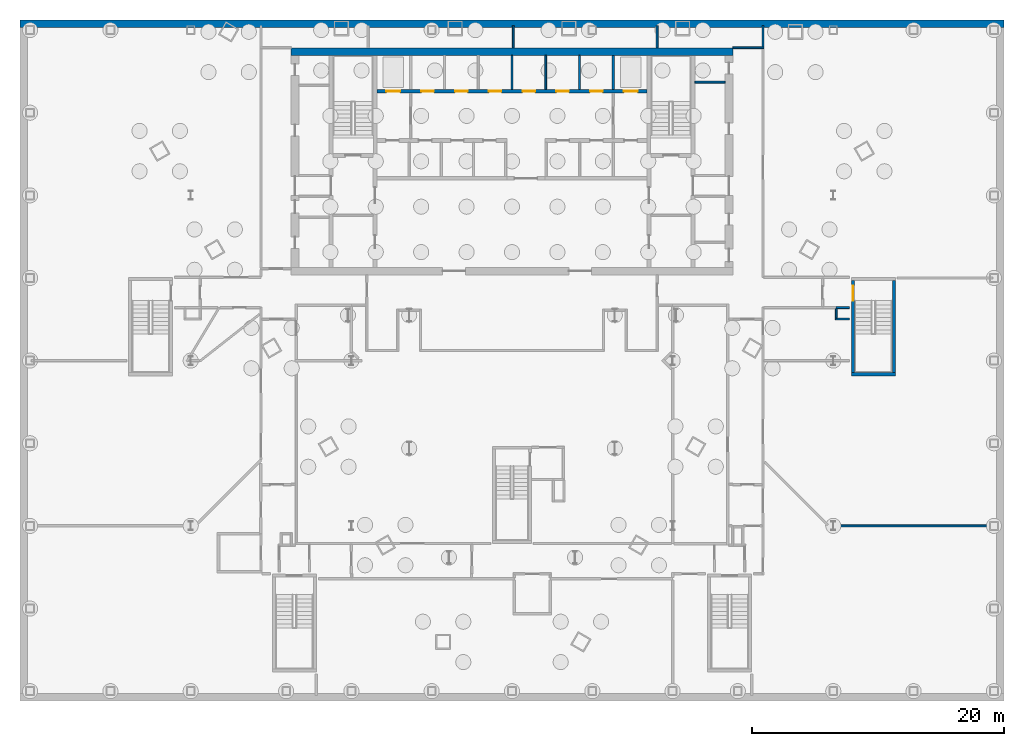
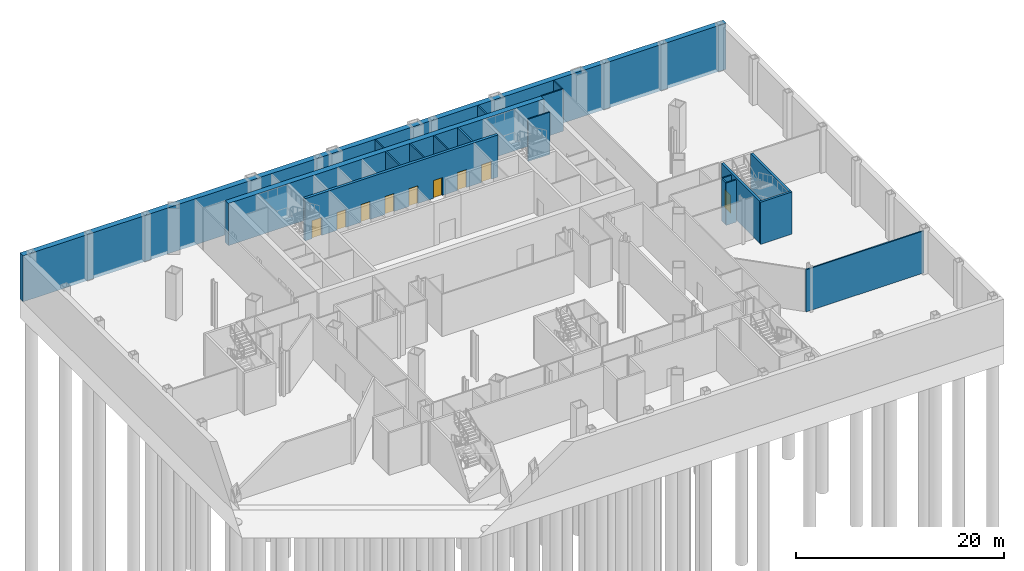
# One storey, part 11 of 19: 19 walls, 9 doors, 9 openings.
"""IFC4 building model written with IfcOpenShell, lengths in metres."""

from ifc_helpers import new_model, si_unit, direction, frame, frame_2d, origin, place, context, subcontext, project, spatial, rectangle, extrude, material, layer, layer_set, type_object, element, fill, save


model = new_model("IFC4")

# Units and contexts
model_context = context("Model", 3, precision=1e-05, world=origin(), true_north=direction((0.0, 1.0)))
body_context = subcontext(model_context, "Body", "Model", "MODEL_VIEW")
ifc_project = project(units=[si_unit("LENGTHUNIT", "METRE"), si_unit("AREAUNIT", "SQUARE_METRE"), si_unit("VOLUMEUNIT", "CUBIC_METRE"), si_unit("PLANEANGLEUNIT", "RADIAN"), si_unit("MASSUNIT", "GRAM", prefix="KILO")], contexts=[model_context])

# Site, building, storey
site_placement = place(None, origin())
site = spatial("IfcSite", under=ifc_project, at=site_placement, CompositionType="ELEMENT")
building_placement = place(site_placement, origin())
building = spatial("IfcBuilding", under=site, at=building_placement, Name="Njiva Tower", CompositionType="ELEMENT")
storey_placement = place(building_placement, frame((0.0, 0.0, -16.8)))
storey = spatial("IfcBuildingStorey", under=building, at=storey_placement, Name="B3", CompositionType="ELEMENT", Elevation=-16.8)

# Walls
ifc_material_1 = material(Name="Blockwork", Category="masonry")
ifc_layer_1 = layer(ifc_material_1, 0.15)
ifc_layer_set_1 = layer_set([ifc_layer_1], Name="Blockwork")
wall_type_1 = type_object("IfcWallType", Name="WT1 Compartment partition 150", PredefinedType="PARTITIONING", material=ifc_layer_set_1)
for number, where, z_axis, x_axis, name in (
    (1, (0.0, 14.7, 0.0), (0.0, 0.0, 1.0), (0.0, 1.0, 0.0), "Partition CN4"),
    (2, (2.675, 14.7, 0.0), (0.0, 0.0, 1.0), (0.0, 1.0, 0.0), "Partition CN5"),
    (3, (5.35, 14.7, 0.0), (0.0, 0.0, 1.0), (0.0, 1.0, 0.0), "Partition CN6"),
):
    element("IfcWall", number, at=place(storey_placement, frame(where, z_axis=z_axis, x_axis=x_axis)), inside=storey, type_object=wall_type_1, Name=name, PredefinedType="PARTITIONING", context=body_context, shape_type="SweptSolid", body=[
        extrude(rectangle(XDim=2.7, YDim=0.15, at=frame_2d((1.35, 0.0))), origin(), (0.0, 0.0, 1.0), 4.95),
    ])
ifc_material_2 = material(Name="Concrete C60/75", Category="concrete")
ifc_layer_2 = layer(ifc_material_2, 0.6)
ifc_layer_set_2 = layer_set([ifc_layer_2], Name="Concrete C60/75")
wall_type_2 = type_object("IfcWallType", Name="WT15 Core wall 600", PredefinedType="SHEAR", material=ifc_layer_set_2)
wall_1_placement = place(storey_placement, frame((-17.5, 17.7, 0.0), z_axis=(0.0, 0.0, 1.0), x_axis=(1.0, 0.0, 0.0)))
element("IfcWall", 4, at=wall_1_placement, inside=storey, type_object=wall_type_2, Name="Core wall north", PredefinedType="SHEAR", context=body_context, shape_type="SweptSolid", body=[
    extrude(rectangle(XDim=35.0, YDim=0.6, at=frame_2d((17.5, 0.0))), origin(), (0.0, 0.0, 1.0), 4.95),
])
ifc_material_3 = material(Name="Gypsum board on steel studs", Category="gypsum")
ifc_layer_3 = layer(ifc_material_3, 0.15)
ifc_layer_set_3 = layer_set([ifc_layer_3], Name="Gypsum board on steel studs")
wall_type_3 = type_object("IfcWallType", Name="WT21 Compartment wall 150", PredefinedType="PARTITIONING", material=ifc_layer_set_3)
wall_2_placement = place(storey_placement, frame((25.026, -19.9, 0.0), z_axis=(0.0, 0.0, 1.0), x_axis=(0.999999997075, 7.6487685e-05, 0.0)))
element("IfcWall", 5, at=wall_2_placement, inside=storey, type_object=wall_type_3, Name="Partition B3-P111", PredefinedType="PARTITIONING", context=body_context, shape_type="SweptSolid", body=[
    extrude(rectangle(XDim=13.074, YDim=0.15, at=frame_2d((6.537, 0.0))), origin(), (0.0, 0.0, 1.0), 4.95),
])
ifc_layer_4 = layer(ifc_material_3, 0.15)
ifc_layer_set_4 = layer_set([ifc_layer_4], Name="Gypsum board on steel studs")
wall_type_4 = type_object("IfcWallType", Name="WT24 Riser room wall 150", PredefinedType="PARTITIONING", material=ifc_layer_set_4)
for number, where, z_axis, x_axis, name in (
    (6, (0.1, 18.0, 0.0), (0.0, 0.0, 1.0), (0.0, 1.0, 0.0), "Partition B3-P062"),
    (7, (11.5, 18.0, 0.0), (0.0, 0.0, 1.0), (0.0, 1.0, 0.0), "Partition B3-P075"),
):
    element("IfcWall", number, at=place(storey_placement, frame(where, z_axis=z_axis, x_axis=x_axis)), inside=storey, type_object=wall_type_4, Name=name, PredefinedType="PARTITIONING", context=body_context, shape_type="SweptSolid", body=[
        extrude(rectangle(XDim=1.75, YDim=0.15, at=frame_2d((0.875, 0.0))), origin(), (0.0, 0.0, 1.0), 4.95),
    ])
wall_3_placement = place(storey_placement, frame((17.5, 18.0, 0.0), z_axis=(0.0, 0.0, 1.0), x_axis=(1.0, 0.0, 0.0)))
element("IfcWall", 8, at=wall_3_placement, inside=storey, type_object=wall_type_4, Name="Partition B3-P095", PredefinedType="PARTITIONING", context=body_context, shape_type="SweptSolid", body=[
    extrude(rectangle(XDim=2.475, YDim=0.15, at=frame_2d((1.2375, 0.0))), origin(), (0.0, 0.0, 1.0), 4.95),
])
wall_4_placement = place(storey_placement, frame((19.9, 18.075, 0.0), z_axis=(0.0, 0.0, 1.0), x_axis=(0.0, 1.0, 0.0)))
element("IfcWall", 9, at=wall_4_placement, inside=storey, type_object=wall_type_4, Name="Partition B3-P105", PredefinedType="PARTITIONING", context=body_context, shape_type="SweptSolid", body=[
    extrude(rectangle(XDim=1.675, YDim=0.15, at=frame_2d((0.8375, 0.0))), origin(), (0.0, 0.0, 1.0), 4.95),
])
wall_5_placement = place(storey_placement, frame((25.625, -3.5, 0.0), z_axis=(0.0, 0.0, 1.0), x_axis=(1.0, 0.0, 0.0)))
element("IfcWall", 10, at=wall_5_placement, inside=storey, type_object=wall_type_4, Name="Partition B3-P112", PredefinedType="PARTITIONING", context=body_context, shape_type="SweptSolid", body=[
    extrude(rectangle(XDim=1.125, YDim=0.15, at=frame_2d((0.5625, 0.0))), origin(), (0.0, 0.0, 1.0), 4.95),
])
wall_6_placement = place(storey_placement, frame((25.688, -2.6, 0.0), z_axis=(0.0, 0.0, 1.0), x_axis=(1.0, 0.0, 0.0)))
element("IfcWall", 11, at=wall_6_placement, inside=storey, type_object=wall_type_4, Name="Partition B3-P113", PredefinedType="PARTITIONING", context=body_context, shape_type="SweptSolid", body=[
    extrude(rectangle(XDim=1.062, YDim=0.15, at=frame_2d((0.531, 0.0))), origin(), (0.0, 0.0, 1.0), 4.95),
])
wall_7_placement = place(storey_placement, frame((25.7, -3.425, 0.0), z_axis=(0.0, 0.0, 1.0), x_axis=(0.0, 1.0, 0.0)))
element("IfcWall", 12, at=wall_7_placement, inside=storey, type_object=wall_type_4, Name="Partition B3-P114", PredefinedType="PARTITIONING", context=body_context, shape_type="SweptSolid", body=[
    extrude(rectangle(XDim=0.75, YDim=0.15, at=frame_2d((0.375, 0.0))), origin(), (0.0, 0.0, 1.0), 4.95),
])
ifc_layer_5 = layer(ifc_material_1, 0.15)
ifc_layer_set_5 = layer_set([ifc_layer_5], Name="Blockwork")
wall_type_5 = type_object("IfcWallType", Name="WT3 Riser partition 150", PredefinedType="PARTITIONING", material=ifc_layer_set_5)
wall_8_placement = place(storey_placement, frame((14.5, 15.2783, 0.0), z_axis=(0.0, 0.0, 1.0), x_axis=(1.0, 0.0, 0.0)))
element("IfcWall", 13, at=wall_8_placement, inside=storey, type_object=wall_type_5, Name="Partition strip E10", PredefinedType="PARTITIONING", context=body_context, shape_type="SweptSolid", body=[
    extrude(rectangle(XDim=2.4, YDim=0.15, at=frame_2d((1.2, 0.0))), origin(), (0.0, 0.0, 1.0), 4.95),
])
ifc_material_4 = material(Name="Concrete C40/50", Category="concrete")
ifc_layer_6 = layer(ifc_material_4, 0.2)
ifc_layer_set_6 = layer_set([ifc_layer_6], Name="Concrete C40/50")
wall_type_6 = type_object("IfcWallType", Name="WT6 Lift shaft wall 200", PredefinedType="SHEAR", material=ifc_layer_set_6)
wall_9_placement = place(storey_placement, frame((8.025, 14.7, 0.0), z_axis=(0.0, 0.0, 1.0), x_axis=(0.0, 1.0, 0.0)))
element("IfcWall", 14, at=wall_9_placement, inside=storey, type_object=wall_type_6, Name="Shaft wall CN7", PredefinedType="SHEAR", context=body_context, shape_type="SweptSolid", body=[
    extrude(rectangle(XDim=2.7, YDim=0.2, at=frame_2d((1.35, 0.0))), origin(), (0.0, 0.0, 1.0), 4.95),
])

# Wall, openings, doors
ifc_layer_7 = layer(ifc_material_4, 0.3)
ifc_layer_set_7 = layer_set([ifc_layer_7], Name="Concrete C40/50")
wall_type_7 = type_object("IfcWallType", Name="WT7 Lift shaft wall 300", PredefinedType="SHEAR", material=ifc_layer_set_7)
wall_10_placement = place(storey_placement, frame((-10.7, 14.55, 0.0), z_axis=(0.0, 0.0, 1.0), x_axis=(1.0, 0.0, 0.0)))
wall_10 = element("IfcWall", 15, at=wall_10_placement, inside=storey, type_object=wall_type_7, Name="Shaft wall north row lobby side", PredefinedType="SHEAR", context=body_context, shape_type="SweptSolid", body=[
    extrude(rectangle(XDim=21.4, YDim=0.3, at=frame_2d((10.7, 0.0))), origin(), (0.0, 0.0, 1.0), 4.95),
])
opening_1_placement = place(wall_10_placement, frame((0.7375, 0.0, 0.0)))
opening_1 = element("IfcOpeningElement", 16, at=opening_1_placement, cuts=wall_10, Name="Opening B3-D901", PredefinedType="OPENING", context=body_context, shape_type="SweptSolid", body=[
    extrude(rectangle(XDim=1.1, YDim=2.1, at=frame_2d((0.55, 1.05))), frame((0.0, 0.16, 0.0), z_axis=(0.0, -1.0, 0.0), x_axis=(1.0, 0.0, 0.0)), (0.0, 0.0, 1.0), 0.32),
])
opening_2_placement = place(wall_10_placement, frame((19.5625, 0.0, 0.0)))
opening_2 = element("IfcOpeningElement", 17, at=opening_2_placement, cuts=wall_10, Name="Opening B3-D902", PredefinedType="OPENING", context=body_context, shape_type="SweptSolid", body=[
    extrude(rectangle(XDim=1.1, YDim=2.1, at=frame_2d((0.55, 1.05))), frame((0.0, 0.16, 0.0), z_axis=(0.0, -1.0, 0.0), x_axis=(1.0, 0.0, 0.0)), (0.0, 0.0, 1.0), 0.32),
])
opening_3_placement = place(wall_10_placement, frame((3.5125, 0.0, 0.0)))
opening_3 = element("IfcOpeningElement", 18, at=opening_3_placement, cuts=wall_10, Name="Opening B3-D903", PredefinedType="OPENING", context=body_context, shape_type="SweptSolid", body=[
    extrude(rectangle(XDim=1.0, YDim=2.1, at=frame_2d((0.5, 1.05))), frame((0.0, 0.16, 0.0), z_axis=(0.0, -1.0, 0.0), x_axis=(1.0, 0.0, 0.0)), (0.0, 0.0, 1.0), 0.32),
])
opening_4_placement = place(wall_10_placement, frame((6.1875, 0.0, 0.0)))
opening_4 = element("IfcOpeningElement", 19, at=opening_4_placement, cuts=wall_10, Name="Opening B3-D904", PredefinedType="OPENING", context=body_context, shape_type="SweptSolid", body=[
    extrude(rectangle(XDim=1.0, YDim=2.1, at=frame_2d((0.5, 1.05))), frame((0.0, 0.16, 0.0), z_axis=(0.0, -1.0, 0.0), x_axis=(1.0, 0.0, 0.0)), (0.0, 0.0, 1.0), 0.32),
])
opening_5_placement = place(wall_10_placement, frame((8.8625, 0.0, 0.0)))
opening_5 = element("IfcOpeningElement", 20, at=opening_5_placement, cuts=wall_10, Name="Opening B3-D905", PredefinedType="OPENING", context=body_context, shape_type="SweptSolid", body=[
    extrude(rectangle(XDim=1.0, YDim=2.1, at=frame_2d((0.5, 1.05))), frame((0.0, 0.16, 0.0), z_axis=(0.0, -1.0, 0.0), x_axis=(1.0, 0.0, 0.0)), (0.0, 0.0, 1.0), 0.32),
])
opening_6_placement = place(wall_10_placement, frame((11.5375, 0.0, 0.0)))
opening_6 = element("IfcOpeningElement", 21, at=opening_6_placement, cuts=wall_10, Name="Opening B3-D906", PredefinedType="OPENING", context=body_context, shape_type="SweptSolid", body=[
    extrude(rectangle(XDim=1.0, YDim=2.1, at=frame_2d((0.5, 1.05))), frame((0.0, 0.16, 0.0), z_axis=(0.0, -1.0, 0.0), x_axis=(1.0, 0.0, 0.0)), (0.0, 0.0, 1.0), 0.32),
])
opening_7_placement = place(wall_10_placement, frame((14.2125, 0.0, 0.0)))
opening_7 = element("IfcOpeningElement", 22, at=opening_7_placement, cuts=wall_10, Name="Opening B3-D907", PredefinedType="OPENING", context=body_context, shape_type="SweptSolid", body=[
    extrude(rectangle(XDim=1.0, YDim=2.1, at=frame_2d((0.5, 1.05))), frame((0.0, 0.16, 0.0), z_axis=(0.0, -1.0, 0.0), x_axis=(1.0, 0.0, 0.0)), (0.0, 0.0, 1.0), 0.32),
])
opening_8_placement = place(wall_10_placement, frame((16.8875, 0.0, 0.0)))
opening_8 = element("IfcOpeningElement", 23, at=opening_8_placement, cuts=wall_10, Name="Opening B3-D908", PredefinedType="OPENING", context=body_context, shape_type="SweptSolid", body=[
    extrude(rectangle(XDim=1.0, YDim=2.1, at=frame_2d((0.5, 1.05))), frame((0.0, 0.16, 0.0), z_axis=(0.0, -1.0, 0.0), x_axis=(1.0, 0.0, 0.0)), (0.0, 0.0, 1.0), 0.32),
])
ifc_material_5 = material(Name="Steel door, painted", Category="steel")
door_type_1 = type_object("IfcDoorType", Name="D5 Steel door 1000x2100", OperationType="SINGLE_SWING_LEFT", PredefinedType="DOOR", material=ifc_material_5)
door_1_placement = place(opening_3_placement, origin())
door_1 = element("IfcDoor", 24, at=door_1_placement, inside=storey, type_object=door_type_1, Name="Electrical room door", OperationType="SINGLE_SWING_RIGHT", OverallHeight=2.1, OverallWidth=1.0, PredefinedType="DOOR", context=body_context, shape_type="SweptSolid", body=[
    extrude(rectangle(XDim=1.0, YDim=2.1, at=frame_2d((0.5, 1.05))), frame((0.0, 0.025, 0.0), z_axis=(0.0, -1.0, 0.0), x_axis=(1.0, 0.0, 0.0)), (0.0, 0.0, 1.0), 0.05),
])
fill(opening_3, door_1)
door_2_placement = place(opening_4_placement, origin())
door_2 = element("IfcDoor", 25, at=door_2_placement, inside=storey, type_object=door_type_1, Name="Telecoms room door", OperationType="SINGLE_SWING_RIGHT", OverallHeight=2.1, OverallWidth=1.0, PredefinedType="DOOR", context=body_context, shape_type="SweptSolid", body=[
    extrude(rectangle(XDim=1.0, YDim=2.1, at=frame_2d((0.5, 1.05))), frame((0.0, 0.025, 0.0), z_axis=(0.0, -1.0, 0.0), x_axis=(1.0, 0.0, 0.0)), (0.0, 0.0, 1.0), 0.05),
])
fill(opening_4, door_2)
door_3_placement = place(opening_5_placement, origin())
door_3 = element("IfcDoor", 26, at=door_3_placement, inside=storey, type_object=door_type_1, Name="Mechanical room door", OperationType="SINGLE_SWING_RIGHT", OverallHeight=2.1, OverallWidth=1.0, PredefinedType="DOOR", context=body_context, shape_type="SweptSolid", body=[
    extrude(rectangle(XDim=1.0, YDim=2.1, at=frame_2d((0.5, 1.05))), frame((0.0, 0.025, 0.0), z_axis=(0.0, -1.0, 0.0), x_axis=(1.0, 0.0, 0.0)), (0.0, 0.0, 1.0), 0.05),
])
fill(opening_5, door_3)
door_4_placement = place(opening_6_placement, origin())
door_4 = element("IfcDoor", 27, at=door_4_placement, inside=storey, type_object=door_type_1, Name="Pump room door", OperationType="SINGLE_SWING_LEFT", OverallHeight=2.1, OverallWidth=1.0, PredefinedType="DOOR", context=body_context, shape_type="SweptSolid", body=[
    extrude(rectangle(XDim=1.0, YDim=2.1, at=frame_2d((0.5, 1.05))), frame((0.0, 0.025, 0.0), z_axis=(0.0, -1.0, 0.0), x_axis=(1.0, 0.0, 0.0)), (0.0, 0.0, 1.0), 0.05),
])
fill(opening_6, door_4)
door_5_placement = place(opening_7_placement, origin())
door_5 = element("IfcDoor", 28, at=door_5_placement, inside=storey, type_object=door_type_1, Name="Ventilation plant room door", OperationType="SINGLE_SWING_LEFT", OverallHeight=2.1, OverallWidth=1.0, PredefinedType="DOOR", context=body_context, shape_type="SweptSolid", body=[
    extrude(rectangle(XDim=1.0, YDim=2.1, at=frame_2d((0.5, 1.05))), frame((0.0, 0.025, 0.0), z_axis=(0.0, -1.0, 0.0), x_axis=(1.0, 0.0, 0.0)), (0.0, 0.0, 1.0), 0.05),
])
fill(opening_7, door_5)
door_6_placement = place(opening_8_placement, origin())
door_6 = element("IfcDoor", 29, at=door_6_placement, inside=storey, type_object=door_type_1, Name="Cleaner's store door", OperationType="SINGLE_SWING_LEFT", OverallHeight=2.1, OverallWidth=1.0, PredefinedType="DOOR", context=body_context, shape_type="SweptSolid", body=[
    extrude(rectangle(XDim=1.0, YDim=2.1, at=frame_2d((0.5, 1.05))), frame((0.0, 0.025, 0.0), z_axis=(0.0, -1.0, 0.0), x_axis=(1.0, 0.0, 0.0)), (0.0, 0.0, 1.0), 0.05),
])
fill(opening_8, door_6)
ifc_material_6 = material(Name="Stainless steel sliding door", Category="steel")
door_type_2 = type_object("IfcDoorType", Name="LD Lift landing door 1100x2100", OperationType="SLIDING_TO_LEFT", PredefinedType="DOOR", material=ifc_material_6)
door_7_placement = place(opening_1_placement, origin())
door_7 = element("IfcDoor", 30, at=door_7_placement, inside=storey, type_object=door_type_2, Name="Lift landing door FF1", OperationType="SLIDING_TO_LEFT", OverallHeight=2.1, OverallWidth=1.1, PredefinedType="DOOR", context=body_context, shape_type="SweptSolid", body=[
    extrude(rectangle(XDim=1.1, YDim=2.1, at=frame_2d((0.55, 1.05))), frame((0.0, 0.025, 0.0), z_axis=(0.0, -1.0, 0.0), x_axis=(1.0, 0.0, 0.0)), (0.0, 0.0, 1.0), 0.05),
])
fill(opening_1, door_7)
door_8_placement = place(opening_2_placement, origin())
door_8 = element("IfcDoor", 31, at=door_8_placement, inside=storey, type_object=door_type_2, Name="Lift landing door FF2", OperationType="SLIDING_TO_LEFT", OverallHeight=2.1, OverallWidth=1.1, PredefinedType="DOOR", context=body_context, shape_type="SweptSolid", body=[
    extrude(rectangle(XDim=1.1, YDim=2.1, at=frame_2d((0.55, 1.05))), frame((0.0, 0.025, 0.0), z_axis=(0.0, -1.0, 0.0), x_axis=(1.0, 0.0, 0.0)), (0.0, 0.0, 1.0), 0.05),
])
fill(opening_2, door_8)

# Wall, opening, door
ifc_layer_8 = layer(ifc_material_4, 0.25)
ifc_layer_set_8 = layer_set([ifc_layer_8], Name="Concrete C40/50")
wall_type_8 = type_object("IfcWallType", Name="WT9 Stair enclosure wall 250", PredefinedType="SHEAR", material=ifc_layer_set_8)
wall_11_placement = place(storey_placement, frame((27.025, -7.75, 0.0), z_axis=(0.0, 0.0, 1.0), x_axis=(0.0, 1.0, 0.0)))
wall_11 = element("IfcWall", 32, at=wall_11_placement, inside=storey, type_object=wall_type_8, Name="Stair G wall west", PredefinedType="SHEAR", context=body_context, shape_type="SweptSolid", body=[
    extrude(rectangle(XDim=7.3, YDim=0.25, at=frame_2d((3.65, 0.0))), origin(), (0.0, 0.0, 1.0), 4.95),
])
opening_9_placement = place(wall_11_placement, frame((5.7, 0.0, 0.0)))
opening_9 = element("IfcOpeningElement", 33, at=opening_9_placement, cuts=wall_11, Name="Opening B3-D944", PredefinedType="OPENING", context=body_context, shape_type="SweptSolid", body=[
    extrude(rectangle(XDim=1.2, YDim=2.1, at=frame_2d((0.6, 1.05))), frame((0.0, 0.135, 0.0), z_axis=(0.0, -1.0, 0.0), x_axis=(1.0, 0.0, 0.0)), (0.0, 0.0, 1.0), 0.27),
])
door_type_3 = type_object("IfcDoorType", Name="D1 Stair door 1200x2100", OperationType="SINGLE_SWING_LEFT", PredefinedType="DOOR", material=ifc_material_5)
door_9_placement = place(opening_9_placement, origin())
door_9 = element("IfcDoor", 34, at=door_9_placement, inside=storey, type_object=door_type_3, Name="Stair G door", OperationType="SINGLE_SWING_RIGHT", OverallHeight=2.1, OverallWidth=1.2, PredefinedType="DOOR", context=body_context, shape_type="SweptSolid", body=[
    extrude(rectangle(XDim=1.2, YDim=2.1, at=frame_2d((0.6, 1.05))), frame((0.0, 0.025, 0.0), z_axis=(0.0, -1.0, 0.0), x_axis=(1.0, 0.0, 0.0)), (0.0, 0.0, 1.0), 0.05),
])
fill(opening_9, door_9)

# Walls
wall_12_placement = place(storey_placement, frame((30.275, -7.75, 0.0), z_axis=(0.0, 0.0, 1.0), x_axis=(0.0, 1.0, 0.0)))
element("IfcWall", 35, at=wall_12_placement, inside=storey, type_object=wall_type_8, Name="Stair G wall east", PredefinedType="SHEAR", context=body_context, shape_type="SweptSolid", body=[
    extrude(rectangle(XDim=7.3, YDim=0.25, at=frame_2d((3.65, 0.0))), origin(), (0.0, 0.0, 1.0), 4.95),
])
wall_13_placement = place(storey_placement, frame((26.9, -7.875, 0.0), z_axis=(0.0, 0.0, 1.0), x_axis=(1.0, 0.0, 0.0)))
element("IfcWall", 36, at=wall_13_placement, inside=storey, type_object=wall_type_8, Name="Stair G wall south", PredefinedType="SHEAR", context=body_context, shape_type="SweptSolid", body=[
    extrude(rectangle(XDim=3.5, YDim=0.25, at=frame_2d((1.75, 0.0))), origin(), (0.0, 0.0, 1.0), 4.95),
])
ifc_layer_9 = layer(ifc_material_4, 0.6)
ifc_layer_set_9 = layer_set([ifc_layer_9], Name="Concrete C40/50")
wall_type_9 = type_object("IfcWallType", Name="WT93 Basement retaining wall 600", PredefinedType="STANDARD", material=ifc_layer_set_9)
wall_14_placement = place(storey_placement, frame((-39.0, 19.9, -0.4), z_axis=(0.0, 0.0, 1.0), x_axis=(1.0, 0.0, 0.0)))
element("IfcWall", 37, at=wall_14_placement, inside=storey, type_object=wall_type_9, Name="Basement retaining wall", PredefinedType="STANDARD", context=body_context, shape_type="SweptSolid", body=[
    extrude(rectangle(XDim=78.0, YDim=0.6, at=frame_2d((39.0, 0.0))), origin(), (0.0, 0.0, 1.0), 5.4),
])

save(model, "model.ifc")
